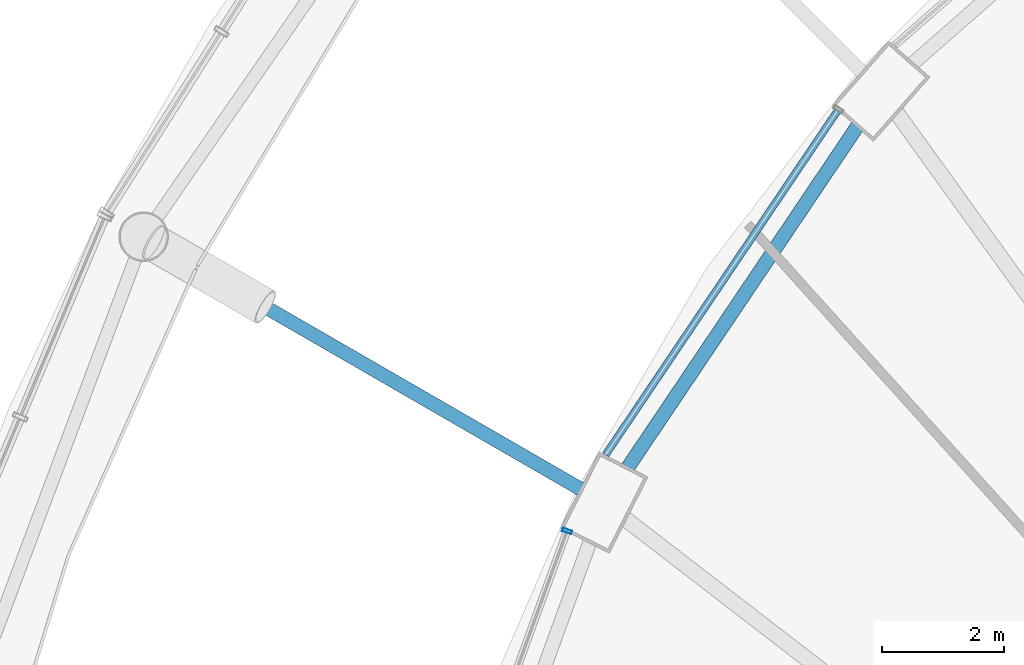
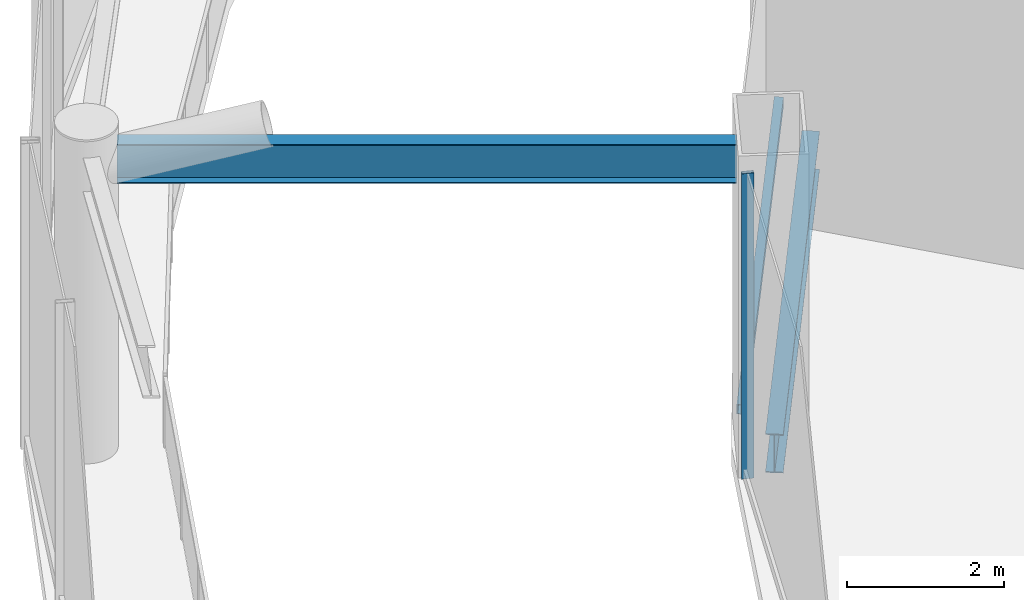
# One storey, part 23 of 52: 2 beams, 2 members, 2 elements without a shape of their own.
"""IFC4 building model written with IfcOpenShell, lengths in metres."""

from ifc_helpers import new_model, si_unit, direction, frame, origin, origin_2d, place, context, subcontext, project, spatial, hollow_rectangle, i_section, extrude, material, layer, layer_set, material_profile, profile_set, type_object, element, aggregate, save


model = new_model("IFC4")

# Units and contexts
model_context = context("Model", 3, precision=1e-05, world=origin(), true_north=direction((0.0, 1.0)))
body_context = subcontext(model_context, "Body", "Model", "MODEL_VIEW")
ifc_project = project(units=[si_unit("LENGTHUNIT", "METRE"), si_unit("AREAUNIT", "SQUARE_METRE"), si_unit("VOLUMEUNIT", "CUBIC_METRE"), si_unit("PLANEANGLEUNIT", "RADIAN"), si_unit("MASSUNIT", "GRAM", prefix="KILO")], contexts=[model_context])

# Site, building, storey
site_placement = place(None, origin())
site = spatial("IfcSite", under=ifc_project, at=site_placement, CompositionType="ELEMENT")
building_placement = place(site_placement, origin())
building = spatial("IfcBuilding", under=site, at=building_placement, Name="Nagisa Residences", CompositionType="ELEMENT")
storey_placement = place(building_placement, frame((0.0, 0.0, 22.0)))
storey = spatial("IfcBuildingStorey", under=building, at=storey_placement, Name="L04", CompositionType="ELEMENT", Elevation=22.0)

# Beam
ifc_material_1 = material(Name="Steel ASTM A572 Gr 50", Category="steel")
ifc_material_profile_1 = material_profile(ifc_material_1, i_section(OverallWidth=0.22802734375, OverallDepth=0.60302734375, WebThickness=0.010498046875, FlangeThickness=0.014892578125, at=origin_2d()), Name="W610x101")
ifc_profile_set_1 = profile_set([ifc_material_profile_1], Name="Steel ASTM A572 Gr 50")
beam_type_1 = type_object("IfcBeamType", Name="Atrium roof beam W610x101", PredefinedType="BEAM", material=ifc_profile_set_1)
beam_1_placement = place(storey_placement, frame((-21.45458984375, 16.46533203125, 4.448486328125), z_axis=(-0.866031379214, 0.49998965011, 0.0), x_axis=(-0.49998965011, -0.866031379214, 0.0)))
element("IfcBeam", 1, at=beam_1_placement, inside=storey, type_object=beam_type_1, Name="beam:L04:rer11", PredefinedType="BEAM", context=body_context, shape_type="SweptSolid", body=[
    extrude(i_section(OverallWidth=0.22802734375, OverallDepth=0.60302734375, WebThickness=0.010498046875, FlangeThickness=0.014892578125, at=origin_2d()), origin(), (0.0, 0.0, 1.0), 7.883056640625),
])

# Curtain wall, member
ifc_material_2 = material(Name="Stainless steel curtain wall system", Category="steel")
ifc_layer = layer(ifc_material_2, 0.159912109375)
ifc_layer_set = layer_set([ifc_layer], Name="CW6 CURTAIN WALL")
curtain_wall_type = type_object("IfcCurtainWallType", Name="CW6 CURTAIN WALL", PredefinedType="NOTDEFINED", material=ifc_layer_set)
curtain_wall_1_placement = place(storey_placement, origin())
curtain_wall_1 = element("IfcCurtainWall", 2, at=curtain_wall_1_placement, inside=storey, type_object=curtain_wall_type, Name="cw:CW6:L04:20", PredefinedType="NOTDEFINED")
ifc_material_3 = material(Name="Stainless steel", Category="steel")
ifc_material_profile_2 = material_profile(ifc_material_3, hollow_rectangle(XDim=0.159912109375, YDim=0.06005859375, WallThickness=0.006103515625, at=origin_2d()), Name="CW6 MULLION 160x60")
ifc_profile_set_2 = profile_set([ifc_material_profile_2], Name="Stainless steel")
member_type_1 = type_object("IfcMemberType", Name="CW6 MULLION 160x60", PredefinedType="MULLION", material=ifc_profile_set_2)
member_1_placement = place(storey_placement, frame((-21.689208984375, 15.78662109375, 0.0), z_axis=(0.0, 0.0, 1.0), x_axis=(0.939681861718, -0.342049702176, 0.0)))
member_1 = element("IfcMember", 3, at=member_1_placement, type_object=member_type_1, Name="CW6 mullion", PredefinedType="MULLION", context=body_context, shape_type="SweptSolid", body=[
    extrude(hollow_rectangle(XDim=0.159912109375, YDim=0.06005859375, WallThickness=0.006103515625, at=origin_2d()), origin(), (0.0, 0.0, 1.0), 4.739990234375),
])
aggregate(curtain_wall_1, [member_1])

curtain_wall_2_placement = place(storey_placement, origin())
curtain_wall_2 = element("IfcCurtainWall", 4, at=curtain_wall_2_placement, inside=storey, type_object=curtain_wall_type, Name="cw:CW6:L04:18", PredefinedType="NOTDEFINED")
ifc_material_4 = material(Name="Stainless steel", Category="steel")
ifc_material_profile_3 = material_profile(ifc_material_4, hollow_rectangle(XDim=0.1201171875, YDim=0.14990234375, WallThickness=0.008056640625, at=origin_2d()), Name="CW6 TRANSOM 120x150")
ifc_profile_set_3 = profile_set([ifc_material_profile_3], Name="Stainless steel")
member_type_2 = type_object("IfcMemberType", Name="CW6 TRANSOM 120x150", PredefinedType="USERDEFINED", material=ifc_profile_set_3)
member_2_placement = place(storey_placement, frame((-17.231201171875, 22.70947265625, 0.074951171875), z_axis=(-0.559080645991, -0.829113280124, 0.0), x_axis=(0.829113280124, -0.559080645991, 0.0)))
member_2 = element("IfcMember", 5, at=member_2_placement, type_object=member_type_2, Name="CW6 transom", ObjectType="TRANSOM", PredefinedType="USERDEFINED", context=body_context, shape_type="SweptSolid", body=[
    extrude(hollow_rectangle(XDim=0.1201171875, YDim=0.14990234375, WallThickness=0.008056640625, at=origin_2d()), origin(), (0.0, 0.0, 1.0), 6.84326171875),
])
aggregate(curtain_wall_2, [member_2])

# Beam
ifc_material_5 = material(Name="Steel ASTM A572 Gr 50", Category="steel")
ifc_material_profile_4 = material_profile(ifc_material_5, i_section(OverallWidth=0.22802734375, OverallDepth=0.60302734375, WebThickness=0.010498046875, FlangeThickness=0.014892578125, at=origin_2d()), Name="W610x101")
ifc_profile_set_4 = profile_set([ifc_material_profile_4], Name="Steel ASTM A572 Gr 50")
beam_type_2 = type_object("IfcBeamType", Name="Perimeter ring beam W610x101", PredefinedType="BEAM", material=ifc_profile_set_4)
beam_2_placement = place(storey_placement, frame((-16.935302734375, 22.411865234375, -0.6015625), z_axis=(-0.558296806041, -0.829641293792, 0.0), x_axis=(0.829641293792, -0.558296806041, 0.0)))
element("IfcBeam", 6, at=beam_2_placement, inside=storey, type_object=beam_type_2, Name="beam:L04:pb10", PredefinedType="BEAM", context=body_context, shape_type="SweptSolid", body=[
    extrude(i_section(OverallWidth=0.22802734375, OverallDepth=0.60302734375, WebThickness=0.010498046875, FlangeThickness=0.014892578125, at=origin_2d()), origin(), (0.0, 0.0, 1.0), 6.74169921875),
])

save(model, "model.ifc")
